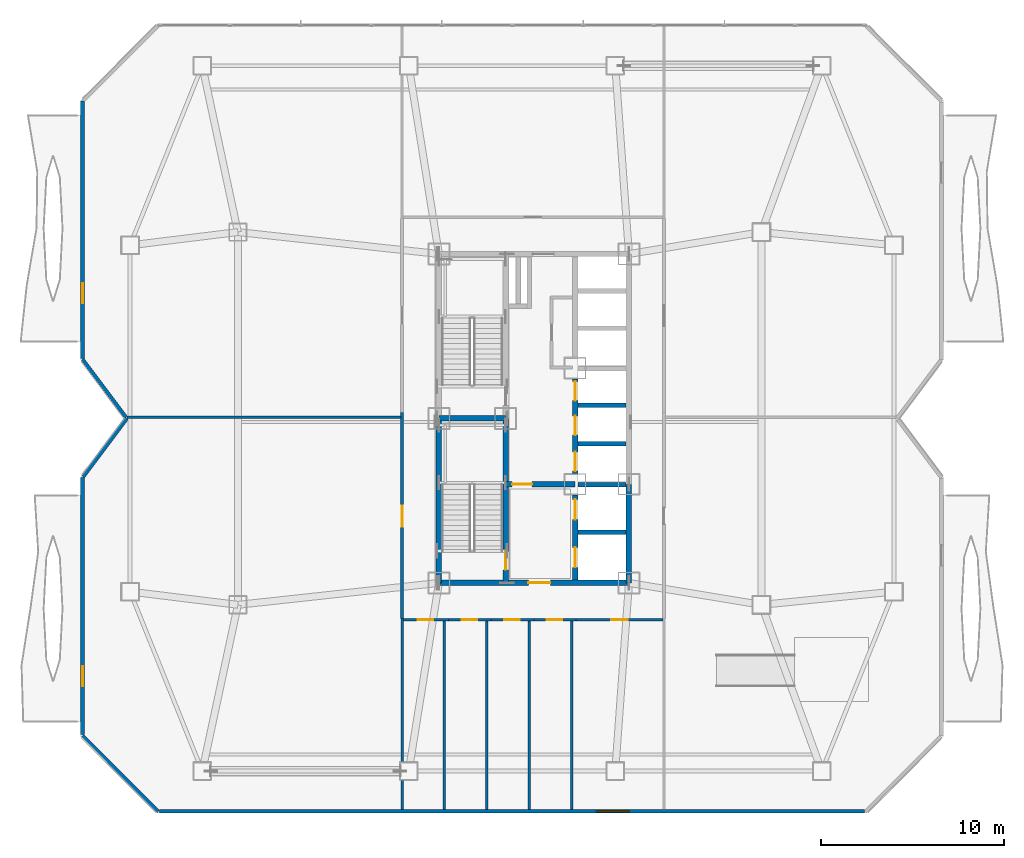
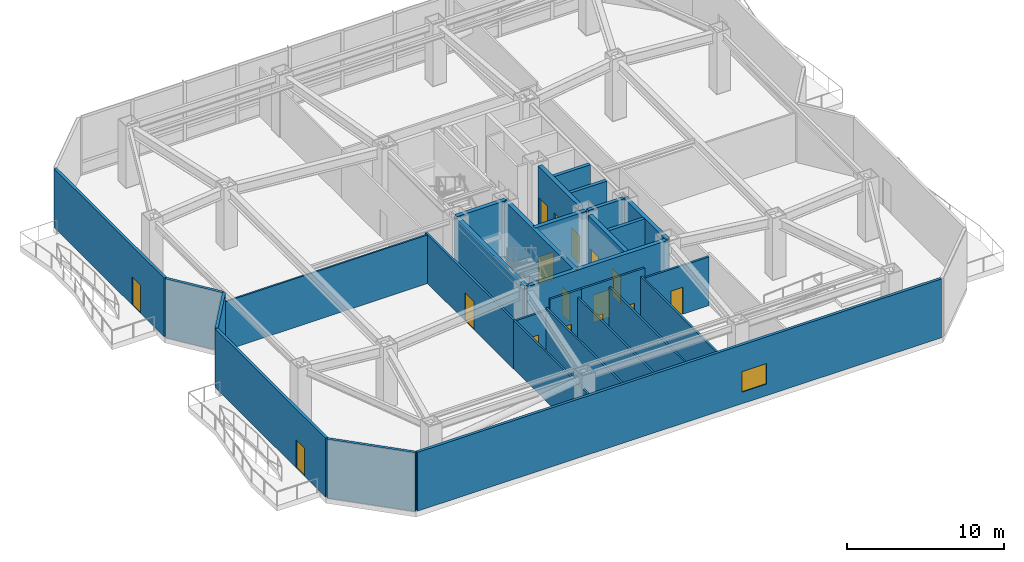
# One storey, part 9 of 14: 30 walls, 16 doors, 1 window, 17 openings.
"""IFC4 building model written with IfcOpenShell, lengths in metres."""

from ifc_helpers import new_model, si_unit, direction, frame, frame_2d, origin, place, context, subcontext, project, spatial, rectangle, extrude, material, layer, layer_set, type_object, element, fill, save


model = new_model("IFC4")

# Units and contexts
model_context = context("Model", 3, precision=1e-05, world=origin(), true_north=direction((0.0, 1.0)))
body_context = subcontext(model_context, "Body", "Model", "MODEL_VIEW")
ifc_project = project(units=[si_unit("LENGTHUNIT", "METRE"), si_unit("AREAUNIT", "SQUARE_METRE"), si_unit("VOLUMEUNIT", "CUBIC_METRE"), si_unit("PLANEANGLEUNIT", "RADIAN"), si_unit("MASSUNIT", "GRAM", prefix="KILO")], contexts=[model_context])

# Site, building, storey
site_placement = place(None, origin())
site = spatial("IfcSite", under=ifc_project, at=site_placement, CompositionType="ELEMENT")
building_placement = place(site_placement, origin())
building = spatial("IfcBuilding", under=site, at=building_placement, Name="Khamvora Tower", CompositionType="ELEMENT")
storey_placement = place(building_placement, frame((0.0, 0.0, 89.800048828125)))
storey = spatial("IfcBuildingStorey", under=building, at=storey_placement, Name="L22", CompositionType="ELEMENT", Elevation=89.800048828125)

# Wall
ifc_material_1 = material(Name="Concrete C50/60", Category="concrete")
ifc_layer_1 = layer(ifc_material_1, 0.300048828125)
ifc_layer_set_1 = layer_set([ifc_layer_1], Name="Concrete C50/60")
wall_type_1 = type_object("IfcWallType", Name="WAL-CORE-300", PredefinedType="SHEAR", material=ifc_layer_set_1)
wall_1_placement = place(storey_placement, frame((29.0, 19.0, 0.0), z_axis=(0.0, 0.0, 1.0), x_axis=(0.0, 1.0, 0.0)))
element("IfcWall", 1, at=wall_1_placement, inside=storey, type_object=wall_type_1, Name="L22 central core west south wall", PredefinedType="SHEAR", context=body_context, shape_type="SweptSolid", body=[
    extrude(rectangle(XDim=9.0, YDim=0.300048828125, at=frame_2d((4.5, 0.0))), origin(), (0.0, 0.0, 1.0), 4.579833984375),
])

# Wall, opening, door
wall_2_placement = place(storey_placement, frame((29.0, 19.0, 0.0), z_axis=(0.0, 0.0, 1.0), x_axis=(1.0, 0.0, 0.0)))
wall_2 = element("IfcWall", 2, at=wall_2_placement, inside=storey, type_object=wall_type_1, Name="L22 central core south wall", PredefinedType="SHEAR", context=body_context, shape_type="SweptSolid", body=[
    extrude(rectangle(XDim=10.39990234375, YDim=0.300048828125, at=frame_2d((5.199951171875, 0.0))), origin(), (0.0, 0.0, 1.0), 4.579833984375),
])
opening_1_placement = place(wall_2_placement, frame((4.89990234375, 0.0, 0.0)))
opening_1 = element("IfcOpeningElement", 3, at=opening_1_placement, cuts=wall_2, Name="Opening D-CR1", PredefinedType="OPENING", context=body_context, shape_type="SweptSolid", body=[
    extrude(rectangle(XDim=1.199951171875, YDim=2.14990234375, at=frame_2d((0.60009765625, 1.074951171875))), frame((0.0, 0.159912109375, 0.0), z_axis=(0.0, -1.0, 0.0), x_axis=(1.0, 0.0, 0.0)), (0.0, 0.0, 1.0), 0.320068359375),
])
ifc_material_2 = material(Name="Powder-Coated Steel and Hardwood Leaf", Category="steel")
door_type_1 = type_object("IfcDoorType", Name="DOR-CORR-1200", OperationType="NOTDEFINED", PredefinedType="DOOR", material=ifc_material_2)
door_1_placement = place(opening_1_placement, origin())
door_1 = element("IfcDoor", 4, at=door_1_placement, inside=storey, type_object=door_type_1, Name="L22 south core lobby to corridor fire door", OperationType="SINGLE_SWING_RIGHT", OverallHeight=2.14990234375, OverallWidth=1.199951171875, PredefinedType="DOOR", context=body_context, shape_type="SweptSolid", body=[
    extrude(rectangle(XDim=1.199951171875, YDim=2.14990234375, at=frame_2d((0.60009765625, 1.074951171875))), frame((0.0, 0.02490234375, 0.0), z_axis=(0.0, -1.0, 0.0), x_axis=(1.0, 0.0, 0.0)), (0.0, 0.0, 1.0), 0.050048828125),
])
fill(opening_1, door_1)

# Wall
wall_3_placement = place(storey_placement, frame((39.39990234375, 19.0, 0.0), z_axis=(0.0, 0.0, 1.0), x_axis=(0.0, 1.0, 0.0)))
element("IfcWall", 5, at=wall_3_placement, inside=storey, type_object=wall_type_1, Name="L22 central core east south wall", PredefinedType="SHEAR", context=body_context, shape_type="SweptSolid", body=[
    extrude(rectangle(XDim=5.39990234375, YDim=0.300048828125, at=frame_2d((2.699951171875, 0.0))), origin(), (0.0, 0.0, 1.0), 4.579833984375),
])

# Wall, opening, door
wall_4_placement = place(storey_placement, frame((32.64990234375, 19.0, 0.0), z_axis=(0.0, 0.0, 1.0), x_axis=(0.0, 1.0, 0.0)))
wall_4 = element("IfcWall", 6, at=wall_4_placement, inside=storey, type_object=wall_type_1, Name="L22 central core stair south spine wall", PredefinedType="SHEAR", context=body_context, shape_type="SweptSolid", body=[
    extrude(rectangle(XDim=9.0, YDim=0.300048828125, at=frame_2d((4.5, 0.0))), origin(), (0.0, 0.0, 1.0), 4.579833984375),
])
opening_2_placement = place(wall_4_placement, frame((0.719970703125, 0.0, 0.0)))
opening_2 = element("IfcOpeningElement", 7, at=opening_2_placement, cuts=wall_4, Name="Opening D-ST1", PredefinedType="OPENING", context=body_context, shape_type="SweptSolid", body=[
    extrude(rectangle(XDim=1.0, YDim=2.14990234375, at=frame_2d((0.5, 1.074951171875))), frame((0.0, 0.159912109375, 0.0), z_axis=(0.0, -1.0, 0.0), x_axis=(1.0, 0.0, 0.0)), (0.0, 0.0, 1.0), 0.320068359375),
])
door_type_2 = type_object("IfcDoorType", Name="DOR-STAIR-1000", OperationType="NOTDEFINED", PredefinedType="DOOR", material=ifc_material_2)
door_2_placement = place(opening_2_placement, origin())
door_2 = element("IfcDoor", 8, at=door_2_placement, inside=storey, type_object=door_type_2, Name="L22 exit stair ST-01 fire door", OperationType="SINGLE_SWING_RIGHT", OverallHeight=2.14990234375, OverallWidth=1.0, PredefinedType="DOOR", context=body_context, shape_type="SweptSolid", body=[
    extrude(rectangle(XDim=1.0, YDim=2.14990234375, at=frame_2d((0.5, 1.074951171875))), frame((0.0, 0.02490234375, 0.0), z_axis=(0.0, -1.0, 0.0), x_axis=(1.0, 0.0, 0.0)), (0.0, 0.0, 1.0), 0.050048828125),
])
fill(opening_2, door_2)

# Wall
wall_5_placement = place(storey_placement, frame((29.0, 28.0, 0.0), z_axis=(0.0, 0.0, 1.0), x_axis=(1.0, 0.0, 0.0)))
element("IfcWall", 9, at=wall_5_placement, inside=storey, type_object=wall_type_1, Name="L22 central core stair cross wall", PredefinedType="SHEAR", context=body_context, shape_type="SweptSolid", body=[
    extrude(rectangle(XDim=3.64990234375, YDim=0.300048828125, at=frame_2d((1.824951171875, 0.0))), origin(), (0.0, 0.0, 1.0), 4.579833984375),
])

# Wall, opening, door
wall_6_placement = place(storey_placement, frame((32.64990234375, 24.39990234375, 0.0), z_axis=(0.0, 0.0, 1.0), x_axis=(1.0, 0.0, 0.0)))
wall_6 = element("IfcWall", 10, at=wall_6_placement, inside=storey, type_object=wall_type_1, Name="L22 central core firefighting lobby north wall", PredefinedType="SHEAR", context=body_context, shape_type="SweptSolid", body=[
    extrude(rectangle(XDim=3.800048828125, YDim=0.300048828125, at=frame_2d((1.89990234375, 0.0))), origin(), (0.0, 0.0, 1.0), 4.579833984375),
])
opening_3_placement = place(wall_6_placement, frame((0.35009765625, 0.0, 0.0)))
opening_3 = element("IfcOpeningElement", 11, at=opening_3_placement, cuts=wall_6, Name="Opening D-FF1", PredefinedType="OPENING", context=body_context, shape_type="SweptSolid", body=[
    extrude(rectangle(XDim=1.10009765625, YDim=2.14990234375, at=frame_2d((0.550048828125, 1.074951171875))), frame((0.0, 0.159912109375, 0.0), z_axis=(0.0, -1.0, 0.0), x_axis=(1.0, 0.0, 0.0)), (0.0, 0.0, 1.0), 0.320068359375),
])
door_type_3 = type_object("IfcDoorType", Name="DOR-FFLOB-1100", OperationType="NOTDEFINED", PredefinedType="DOOR", material=ifc_material_2)
door_3_placement = place(opening_3_placement, origin())
door_3 = element("IfcDoor", 12, at=door_3_placement, inside=storey, type_object=door_type_3, Name="L22 firefighting lobby smoke-seal fire door", OperationType="SINGLE_SWING_LEFT", OverallHeight=2.14990234375, OverallWidth=1.10009765625, PredefinedType="DOOR", context=body_context, shape_type="SweptSolid", body=[
    extrude(rectangle(XDim=1.10009765625, YDim=2.14990234375, at=frame_2d((0.550048828125, 1.074951171875))), frame((0.0, 0.02490234375, 0.0), z_axis=(0.0, -1.0, 0.0), x_axis=(1.0, 0.0, 0.0)), (0.0, 0.0, 1.0), 0.050048828125),
])
fill(opening_3, door_3)

# Wall, openings, doors
wall_7_placement = place(storey_placement, frame((36.449951171875, 19.154052734375, 0.0), z_axis=(0.0, 0.0, 1.0), x_axis=(0.0, 1.0, 0.0)))
wall_7 = element("IfcWall", 13, at=wall_7_placement, inside=storey, type_object=wall_type_1, Name="L22 central core lift bank south wall", PredefinedType="SHEAR", context=body_context, shape_type="SweptSolid", body=[
    extrude(rectangle(XDim=4.64599609375, YDim=0.300048828125, at=frame_2d((2.322998046875, 0.0))), origin(), (0.0, 0.0, 1.0), 4.579833984375),
])
opening_4_placement = place(wall_7_placement, frame((0.696044921875, 0.0, 0.0)))
opening_4 = element("IfcOpeningElement", 14, at=opening_4_placement, cuts=wall_7, Name="Opening LD-FFL", PredefinedType="OPENING", context=body_context, shape_type="SweptSolid", body=[
    extrude(rectangle(XDim=1.10009765625, YDim=2.14990234375, at=frame_2d((0.550048828125, 1.074951171875))), frame((0.0, 0.159912109375, 0.0), z_axis=(0.0, -1.0, 0.0), x_axis=(1.0, 0.0, 0.0)), (0.0, 0.0, 1.0), 0.320068359375),
])
opening_5_placement = place(wall_7_placement, frame((3.31591796875, 0.0, 0.0)))
opening_5 = element("IfcOpeningElement", 15, at=opening_5_placement, cuts=wall_7, Name="Opening LD-FFL", PredefinedType="OPENING", context=body_context, shape_type="SweptSolid", body=[
    extrude(rectangle(XDim=1.10009765625, YDim=2.14990234375, at=frame_2d((0.550048828125, 1.074951171875))), frame((0.0, 0.159912109375, 0.0), z_axis=(0.0, -1.0, 0.0), x_axis=(1.0, 0.0, 0.0)), (0.0, 0.0, 1.0), 0.320068359375),
])
door_type_4 = type_object("IfcDoorType", Name="DOR-LIFT-1100", OperationType="SLIDING_TO_LEFT", PredefinedType="DOOR", material=ifc_material_2)
door_4_placement = place(opening_4_placement, origin())
door_4 = element("IfcDoor", 16, at=door_4_placement, inside=storey, type_object=door_type_4, Name="L22 lift landing sliding door FFL-01", OperationType="SLIDING_TO_LEFT", OverallHeight=2.14990234375, OverallWidth=1.10009765625, PredefinedType="DOOR", context=body_context, shape_type="SweptSolid", body=[
    extrude(rectangle(XDim=1.10009765625, YDim=2.14990234375, at=frame_2d((0.550048828125, 1.074951171875))), frame((0.0, 0.02490234375, 0.0), z_axis=(0.0, -1.0, 0.0), x_axis=(1.0, 0.0, 0.0)), (0.0, 0.0, 1.0), 0.050048828125),
])
fill(opening_4, door_4)
door_5_placement = place(opening_5_placement, origin())
door_5 = element("IfcDoor", 17, at=door_5_placement, inside=storey, type_object=door_type_4, Name="L22 lift landing sliding door FFL-02", OperationType="SLIDING_TO_LEFT", OverallHeight=2.14990234375, OverallWidth=1.10009765625, PredefinedType="DOOR", context=body_context, shape_type="SweptSolid", body=[
    extrude(rectangle(XDim=1.10009765625, YDim=2.14990234375, at=frame_2d((0.550048828125, 1.074951171875))), frame((0.0, 0.02490234375, 0.0), z_axis=(0.0, -1.0, 0.0), x_axis=(1.0, 0.0, 0.0)), (0.0, 0.0, 1.0), 0.050048828125),
])
fill(opening_5, door_5)

wall_8_placement = place(storey_placement, frame((36.449951171875, 25.0, 0.0), z_axis=(0.0, 0.0, 1.0), x_axis=(0.0, 1.0, 0.0)))
wall_8 = element("IfcWall", 18, at=wall_8_placement, inside=storey, type_object=wall_type_1, Name="L22 central core lift bank central wall", PredefinedType="SHEAR", context=body_context, shape_type="SweptSolid", body=[
    extrude(rectangle(XDim=5.14990234375, YDim=0.300048828125, at=frame_2d((2.574951171875, 0.0))), origin(), (0.0, 0.0, 1.0), 4.579833984375),
])
opening_6_placement = place(wall_8_placement, frame((0.1201171875, 0.0, 0.0)))
opening_6 = element("IfcOpeningElement", 19, at=opening_6_placement, cuts=wall_8, Name="Opening LD-PL", PredefinedType="OPENING", context=body_context, shape_type="SweptSolid", body=[
    extrude(rectangle(XDim=1.050048828125, YDim=2.14990234375, at=frame_2d((0.52490234375, 1.074951171875))), frame((0.0, 0.159912109375, 0.0), z_axis=(0.0, -1.0, 0.0), x_axis=(1.0, 0.0, 0.0)), (0.0, 0.0, 1.0), 0.320068359375),
])
opening_7_placement = place(wall_8_placement, frame((2.094970703125, 0.0, 0.0)))
opening_7 = element("IfcOpeningElement", 20, at=opening_7_placement, cuts=wall_8, Name="Opening LD-PL", PredefinedType="OPENING", context=body_context, shape_type="SweptSolid", body=[
    extrude(rectangle(XDim=1.050048828125, YDim=2.14990234375, at=frame_2d((0.52490234375, 1.074951171875))), frame((0.0, 0.159912109375, 0.0), z_axis=(0.0, -1.0, 0.0), x_axis=(1.0, 0.0, 0.0)), (0.0, 0.0, 1.0), 0.320068359375),
])
opening_8_placement = place(wall_8_placement, frame((3.97998046875, 0.0, 0.0)))
opening_8 = element("IfcOpeningElement", 21, at=opening_8_placement, cuts=wall_8, Name="Opening LD-PL", PredefinedType="OPENING", context=body_context, shape_type="SweptSolid", body=[
    extrude(rectangle(XDim=1.050048828125, YDim=2.14990234375, at=frame_2d((0.52490234375, 1.074951171875))), frame((0.0, 0.159912109375, 0.0), z_axis=(0.0, -1.0, 0.0), x_axis=(1.0, 0.0, 0.0)), (0.0, 0.0, 1.0), 0.320068359375),
])
door_type_5 = type_object("IfcDoorType", Name="DOR-LIFT-1050", OperationType="SLIDING_TO_LEFT", PredefinedType="DOOR", material=ifc_material_2)
door_6_placement = place(opening_6_placement, origin())
door_6 = element("IfcDoor", 22, at=door_6_placement, inside=storey, type_object=door_type_5, Name="L22 lift landing sliding door PL-01", OperationType="SLIDING_TO_LEFT", OverallHeight=2.14990234375, OverallWidth=1.050048828125, PredefinedType="DOOR", context=body_context, shape_type="SweptSolid", body=[
    extrude(rectangle(XDim=1.050048828125, YDim=2.14990234375, at=frame_2d((0.52490234375, 1.074951171875))), frame((0.0, 0.02490234375, 0.0), z_axis=(0.0, -1.0, 0.0), x_axis=(1.0, 0.0, 0.0)), (0.0, 0.0, 1.0), 0.050048828125),
])
fill(opening_6, door_6)
door_7_placement = place(opening_7_placement, origin())
door_7 = element("IfcDoor", 23, at=door_7_placement, inside=storey, type_object=door_type_5, Name="L22 lift landing sliding door PL-02", OperationType="SLIDING_TO_LEFT", OverallHeight=2.14990234375, OverallWidth=1.050048828125, PredefinedType="DOOR", context=body_context, shape_type="SweptSolid", body=[
    extrude(rectangle(XDim=1.050048828125, YDim=2.14990234375, at=frame_2d((0.52490234375, 1.074951171875))), frame((0.0, 0.02490234375, 0.0), z_axis=(0.0, -1.0, 0.0), x_axis=(1.0, 0.0, 0.0)), (0.0, 0.0, 1.0), 0.050048828125),
])
fill(opening_7, door_7)
door_8_placement = place(opening_8_placement, origin())
door_8 = element("IfcDoor", 24, at=door_8_placement, inside=storey, type_object=door_type_5, Name="L22 lift landing sliding door PL-03", OperationType="SLIDING_TO_LEFT", OverallHeight=2.14990234375, OverallWidth=1.050048828125, PredefinedType="DOOR", context=body_context, shape_type="SweptSolid", body=[
    extrude(rectangle(XDim=1.050048828125, YDim=2.14990234375, at=frame_2d((0.52490234375, 1.074951171875))), frame((0.0, 0.02490234375, 0.0), z_axis=(0.0, -1.0, 0.0), x_axis=(1.0, 0.0, 0.0)), (0.0, 0.0, 1.0), 0.050048828125),
])
fill(opening_8, door_8)

# Wall, opening, door
ifc_material_3 = material(Name="Fire-Rated Drywall and Steel Stud", Category="steel")
ifc_layer_2 = layer(ifc_material_3, 0.14990234375)
ifc_layer_set_2 = layer_set([ifc_layer_2], Name="Fire-Rated Drywall and Steel Stud")
wall_type_2 = type_object("IfcWallType", Name="WAL-CORR-150", PredefinedType="STANDARD", material=ifc_layer_set_2)
wall_9_placement = place(storey_placement, frame((26.985107421875, 17.050048828125, 0.0), z_axis=(0.0, 0.0, 1.0), x_axis=(0.0, 1.0, 0.0)))
wall_9 = element("IfcWall", 25, at=wall_9_placement, inside=storey, type_object=wall_type_2, Name="L22 interior partition wall 005", PredefinedType="STANDARD", context=body_context, shape_type="SweptSolid", body=[
    extrude(rectangle(XDim=11.263916015625, YDim=0.14990234375, at=frame_2d((5.6318359375, 0.0))), origin(), (0.0, 0.0, 1.0), 3.796875),
])
opening_9_placement = place(wall_9_placement, frame((5.035888671875, 0.0, 0.0)))
opening_9 = element("IfcOpeningElement", 26, at=opening_9_placement, cuts=wall_9, Name="Opening D-SC1", PredefinedType="OPENING", context=body_context, shape_type="SweptSolid", body=[
    extrude(rectangle(XDim=1.14990234375, YDim=2.199951171875, at=frame_2d((0.574951171875, 1.10009765625))), frame((0.0, 0.0849609375, 0.0), z_axis=(0.0, -1.0, 0.0), x_axis=(1.0, 0.0, 0.0)), (0.0, 0.0, 1.0), 0.169921875),
])
door_type_6 = type_object("IfcDoorType", Name="DOR-SCHL-1150", OperationType="NOTDEFINED", PredefinedType="DOOR", material=ifc_material_2)
door_9_placement = place(opening_9_placement, origin())
door_9 = element("IfcDoor", 27, at=door_9_placement, inside=storey, type_object=door_type_6, Name="L22 interior door ACOR-COHW", OperationType="SINGLE_SWING_RIGHT", OverallHeight=2.199951171875, OverallWidth=1.14990234375, PredefinedType="DOOR", context=body_context, shape_type="SweptSolid", body=[
    extrude(rectangle(XDim=1.14990234375, YDim=2.199951171875, at=frame_2d((0.574951171875, 1.10009765625))), frame((0.0, 0.02490234375, 0.0), z_axis=(0.0, -1.0, 0.0), x_axis=(1.0, 0.0, 0.0)), (0.0, 0.0, 1.0), 0.050048828125),
])
fill(opening_9, door_9)

wall_10_placement = place(storey_placement, frame((29.533935546875, 16.985107421875, 0.0), z_axis=(0.0, 0.0, 1.0), x_axis=(-1.0, 0.0, 0.0)))
wall_10 = element("IfcWall", 28, at=wall_10_placement, inside=storey, type_object=wall_type_2, Name="L22 interior partition wall 008", PredefinedType="STANDARD", context=body_context, shape_type="SweptSolid", body=[
    extrude(rectangle(XDim=2.48388671875, YDim=0.14990234375, at=frame_2d((1.241943359375, 0.0))), origin(), (0.0, 0.0, 1.0), 3.796875),
])
opening_10_placement = place(wall_10_placement, frame((0.837890625, 0.0, 0.0)))
opening_10 = element("IfcOpeningElement", 29, at=opening_10_placement, cuts=wall_10, Name="Opening D-WC1", PredefinedType="OPENING", context=body_context, shape_type="SweptSolid", body=[
    extrude(rectangle(XDim=0.85009765625, YDim=2.10009765625, at=frame_2d((0.425048828125, 1.050048828125))), frame((0.0, 0.0849609375, 0.0), z_axis=(0.0, -1.0, 0.0), x_axis=(1.0, 0.0, 0.0)), (0.0, 0.0, 1.0), 0.169921875),
])
door_type_7 = type_object("IfcDoorType", Name="DOR-WET-850", OperationType="NOTDEFINED", PredefinedType="DOOR", material=ifc_material_2)
door_10_placement = place(opening_10_placement, origin())
door_10 = element("IfcDoor", 30, at=door_10_placement, inside=storey, type_object=door_type_7, Name="L22 interior door ACOR-AWC1", OperationType="SINGLE_SWING_LEFT", OverallHeight=2.10009765625, OverallWidth=0.85009765625, PredefinedType="DOOR", context=body_context, shape_type="SweptSolid", body=[
    extrude(rectangle(XDim=0.85009765625, YDim=2.10009765625, at=frame_2d((0.425048828125, 1.050048828125))), frame((0.0, 0.02490234375, 0.0), z_axis=(0.0, -1.0, 0.0), x_axis=(1.0, 0.0, 0.0)), (0.0, 0.0, 1.0), 0.050048828125),
])
fill(opening_10, door_10)

wall_11_placement = place(storey_placement, frame((31.864013671875, 16.985107421875, 0.0), z_axis=(0.0, 0.0, 1.0), x_axis=(-1.0, 0.0, 0.0)))
wall_11 = element("IfcWall", 31, at=wall_11_placement, inside=storey, type_object=wall_type_2, Name="L22 interior partition wall 009", PredefinedType="STANDARD", context=body_context, shape_type="SweptSolid", body=[
    extrude(rectangle(XDim=2.330078125, YDim=0.14990234375, at=frame_2d((1.1650390625, 0.0))), origin(), (0.0, 0.0, 1.0), 4.579833984375),
])
opening_11_placement = place(wall_11_placement, frame((0.760986328125, 0.0, 0.0)))
opening_11 = element("IfcOpeningElement", 32, at=opening_11_placement, cuts=wall_11, Name="Opening D-WC1", PredefinedType="OPENING", context=body_context, shape_type="SweptSolid", body=[
    extrude(rectangle(XDim=0.85009765625, YDim=2.10009765625, at=frame_2d((0.425048828125, 1.050048828125))), frame((0.0, 0.0849609375, 0.0), z_axis=(0.0, -1.0, 0.0), x_axis=(1.0, 0.0, 0.0)), (0.0, 0.0, 1.0), 0.169921875),
])
door_11_placement = place(opening_11_placement, origin())
door_11 = element("IfcDoor", 33, at=door_11_placement, inside=storey, type_object=door_type_7, Name="L22 interior door ACOR-AWC2", OperationType="SINGLE_SWING_RIGHT", OverallHeight=2.10009765625, OverallWidth=0.85009765625, PredefinedType="DOOR", context=body_context, shape_type="SweptSolid", body=[
    extrude(rectangle(XDim=0.85009765625, YDim=2.10009765625, at=frame_2d((0.425048828125, 1.050048828125))), frame((0.0, 0.02490234375, 0.0), z_axis=(0.0, -1.0, 0.0), x_axis=(1.0, 0.0, 0.0)), (0.0, 0.0, 1.0), 0.050048828125),
])
fill(opening_11, door_11)

wall_12_placement = place(storey_placement, frame((34.194091796875, 16.985107421875, 0.0), z_axis=(0.0, 0.0, 1.0), x_axis=(-1.0, 0.0, 0.0)))
wall_12 = element("IfcWall", 34, at=wall_12_placement, inside=storey, type_object=wall_type_2, Name="L22 interior partition wall 010", PredefinedType="STANDARD", context=body_context, shape_type="SweptSolid", body=[
    extrude(rectangle(XDim=2.330078125, YDim=0.14990234375, at=frame_2d((1.1650390625, 0.0))), origin(), (0.0, 0.0, 1.0), 4.579833984375),
])
opening_12_placement = place(wall_12_placement, frame((0.760986328125, 0.0, 0.0)))
opening_12 = element("IfcOpeningElement", 35, at=opening_12_placement, cuts=wall_12, Name="Opening D-WC1", PredefinedType="OPENING", context=body_context, shape_type="SweptSolid", body=[
    extrude(rectangle(XDim=0.85009765625, YDim=2.10009765625, at=frame_2d((0.425048828125, 1.050048828125))), frame((0.0, 0.0849609375, 0.0), z_axis=(0.0, -1.0, 0.0), x_axis=(1.0, 0.0, 0.0)), (0.0, 0.0, 1.0), 0.169921875),
])
door_12_placement = place(opening_12_placement, origin())
door_12 = element("IfcDoor", 36, at=door_12_placement, inside=storey, type_object=door_type_7, Name="L22 interior door ACOR-AWC3", OperationType="SINGLE_SWING_LEFT", OverallHeight=2.10009765625, OverallWidth=0.85009765625, PredefinedType="DOOR", context=body_context, shape_type="SweptSolid", body=[
    extrude(rectangle(XDim=0.85009765625, YDim=2.10009765625, at=frame_2d((0.425048828125, 1.050048828125))), frame((0.0, 0.02490234375, 0.0), z_axis=(0.0, -1.0, 0.0), x_axis=(1.0, 0.0, 0.0)), (0.0, 0.0, 1.0), 0.050048828125),
])
fill(opening_12, door_12)

wall_13_placement = place(storey_placement, frame((36.513916015625, 16.985107421875, 0.0), z_axis=(0.0, 0.0, 1.0), x_axis=(-1.0, 0.0, 0.0)))
wall_13 = element("IfcWall", 37, at=wall_13_placement, inside=storey, type_object=wall_type_2, Name="L22 interior partition wall 011", PredefinedType="STANDARD", context=body_context, shape_type="SweptSolid", body=[
    extrude(rectangle(XDim=2.31982421875, YDim=0.14990234375, at=frame_2d((1.159912109375, 0.0))), origin(), (0.0, 0.0, 1.0), 4.579833984375),
])
opening_13_placement = place(wall_13_placement, frame((0.756103515625, 0.0, 0.0)))
opening_13 = element("IfcOpeningElement", 38, at=opening_13_placement, cuts=wall_13, Name="Opening D-WC1", PredefinedType="OPENING", context=body_context, shape_type="SweptSolid", body=[
    extrude(rectangle(XDim=0.85009765625, YDim=2.10009765625, at=frame_2d((0.425048828125, 1.050048828125))), frame((0.0, 0.0849609375, 0.0), z_axis=(0.0, -1.0, 0.0), x_axis=(1.0, 0.0, 0.0)), (0.0, 0.0, 1.0), 0.169921875),
])
door_13_placement = place(opening_13_placement, origin())
door_13 = element("IfcDoor", 39, at=door_13_placement, inside=storey, type_object=door_type_7, Name="L22 interior door ACOR-AWC4", OperationType="SINGLE_SWING_RIGHT", OverallHeight=2.10009765625, OverallWidth=0.85009765625, PredefinedType="DOOR", context=body_context, shape_type="SweptSolid", body=[
    extrude(rectangle(XDim=0.85009765625, YDim=2.10009765625, at=frame_2d((0.425048828125, 1.050048828125))), frame((0.0, 0.02490234375, 0.0), z_axis=(0.0, -1.0, 0.0), x_axis=(1.0, 0.0, 0.0)), (0.0, 0.0, 1.0), 0.050048828125),
])
fill(opening_13, door_13)

wall_14_placement = place(storey_placement, frame((41.25, 16.985107421875, 0.0), z_axis=(0.0, 0.0, 1.0), x_axis=(-1.0, 0.0, 0.0)))
wall_14 = element("IfcWall", 40, at=wall_14_placement, inside=storey, type_object=wall_type_2, Name="L22 interior partition wall 012", PredefinedType="STANDARD", context=body_context, shape_type="SweptSolid", body=[
    extrude(rectangle(XDim=4.736083984375, YDim=0.14990234375, at=frame_2d((2.3681640625, 0.0))), origin(), (0.0, 0.0, 1.0), 3.796875),
])
opening_14_placement = place(wall_14_placement, frame((1.91796875, 0.0, 0.0)))
opening_14 = element("IfcOpeningElement", 41, at=opening_14_placement, cuts=wall_14, Name="Opening D-RM1", PredefinedType="OPENING", context=body_context, shape_type="SweptSolid", body=[
    extrude(rectangle(XDim=0.89990234375, YDim=2.10009765625, at=frame_2d((0.449951171875, 1.050048828125))), frame((0.0, 0.0849609375, 0.0), z_axis=(0.0, -1.0, 0.0), x_axis=(1.0, 0.0, 0.0)), (0.0, 0.0, 1.0), 0.169921875),
])
door_type_8 = type_object("IfcDoorType", Name="DOR-ROOM-900", OperationType="NOTDEFINED", PredefinedType="DOOR", material=ifc_material_2)
door_14_placement = place(opening_14_placement, origin())
door_14 = element("IfcDoor", 42, at=door_14_placement, inside=storey, type_object=door_type_8, Name="L22 interior door ACOR-AST2", OperationType="SINGLE_SWING_LEFT", OverallHeight=2.10009765625, OverallWidth=0.89990234375, PredefinedType="DOOR", context=body_context, shape_type="SweptSolid", body=[
    extrude(rectangle(XDim=0.89990234375, YDim=2.10009765625, at=frame_2d((0.449951171875, 1.050048828125))), frame((0.0, 0.02490234375, 0.0), z_axis=(0.0, -1.0, 0.0), x_axis=(1.0, 0.0, 0.0)), (0.0, 0.0, 1.0), 0.050048828125),
])
fill(opening_14, door_14)

# Wall
ifc_material_4 = material(Name="Precast concrete C40/50", Category="concrete")
ifc_layer_3 = layer(ifc_material_4, 0.199951171875)
ifc_layer_set_3 = layer_set([ifc_layer_3], Name="Precast concrete C40/50")
wall_type_3 = type_object("IfcWallType", Name="WAL-EXT-200", PredefinedType="STANDARD", material=ifc_layer_set_3)
wall_15_placement = place(storey_placement, frame((13.64111328125, 6.5, 0.0), z_axis=(0.0, 0.0, 1.0), x_axis=(-0.707106781187, 0.707106781187, 0.0)))
element("IfcWall", 43, at=wall_15_placement, inside=storey, type_object=wall_type_3, Name="L22 exterior facade wall 01.1", PredefinedType="STANDARD", context=body_context, shape_type="SweptSolid", body=[
    extrude(rectangle(XDim=5.8564453125, YDim=0.199951171875, at=frame_2d((2.92822265625, 0.0))), origin(), (0.0, 0.0, 1.0), 4.579833984375),
])

# Wall, opening, door
wall_16_placement = place(storey_placement, frame((9.5, 10.7041015625, 0.0), z_axis=(0.0, 0.0, 1.0), x_axis=(0.0, 1.0, 0.0)))
wall_16 = element("IfcWall", 44, at=wall_16_placement, inside=storey, type_object=wall_type_3, Name="L22 exterior facade wall 02.1", PredefinedType="STANDARD", context=body_context, shape_type="SweptSolid", body=[
    extrude(rectangle(XDim=14.06298828125, YDim=0.199951171875, at=frame_2d((7.031494140625, 0.0))), origin(), (0.0, 0.0, 1.0), 4.579833984375),
])
opening_15_placement = place(wall_16_placement, frame((2.64892578125, 0.0, 0.0)))
opening_15 = element("IfcOpeningElement", 45, at=opening_15_placement, cuts=wall_16, Name="Opening BD-01", PredefinedType="OPENING", context=body_context, shape_type="SweptSolid", body=[
    extrude(rectangle(XDim=1.10009765625, YDim=2.199951171875, at=frame_2d((0.550048828125, 1.10009765625))), frame((0.0, 0.10986328125, 0.0), z_axis=(0.0, -1.0, 0.0), x_axis=(1.0, 0.0, 0.0)), (0.0, 0.0, 1.0), 0.219970703125),
])
ifc_material_5 = material(Name="Anodised Aluminium and Laminated Safety Glass", Category="aluminium")
door_type_9 = type_object("IfcDoorType", Name="DOR-BAL-1100", OperationType="NOTDEFINED", PredefinedType="DOOR", material=ifc_material_5)
door_15_placement = place(opening_15_placement, origin())
door_15 = element("IfcDoor", 46, at=door_15_placement, inside=storey, type_object=door_type_9, Name="L22 lens gallery balcony door WL1", OperationType="SLIDING_TO_LEFT", OverallHeight=2.199951171875, OverallWidth=1.10009765625, PredefinedType="DOOR", context=body_context, shape_type="SweptSolid", body=[
    extrude(rectangle(XDim=1.10009765625, YDim=2.199951171875, at=frame_2d((0.550048828125, 1.10009765625))), frame((0.0, 0.02490234375, 0.0), z_axis=(0.0, -1.0, 0.0), x_axis=(1.0, 0.0, 0.0)), (0.0, 0.0, 1.0), 0.050048828125),
])
fill(opening_15, door_15)

# Walls
wall_17_placement = place(storey_placement, frame((9.530029296875, 24.806884765625, 0.0), z_axis=(0.0, 0.0, 1.0), x_axis=(0.600029358831, 0.799977980035, 0.0)))
element("IfcWall", 47, at=wall_17_placement, inside=storey, type_object=wall_type_3, Name="L22 exterior facade wall 03.1", PredefinedType="STANDARD", context=body_context, shape_type="SweptSolid", body=[
    extrude(rectangle(XDim=3.991455078125, YDim=0.199951171875, at=frame_2d((1.99560546875, 0.0))), origin(), (0.0, 0.0, 1.0), 4.579833984375),
])
wall_18_placement = place(storey_placement, frame((11.873046875, 28.069091796875, 0.0), z_axis=(0.0, 0.0, 1.0), x_axis=(-0.600029630681, 0.799977776132, 0.0)))
element("IfcWall", 48, at=wall_18_placement, inside=storey, type_object=wall_type_3, Name="L22 exterior facade wall 04.1", PredefinedType="STANDARD", context=body_context, shape_type="SweptSolid", body=[
    extrude(rectangle(XDim=3.954833984375, YDim=0.199951171875, at=frame_2d((1.9775390625, 0.0))), origin(), (0.0, 0.0, 1.0), 4.579833984375),
])

# Wall, opening, door
wall_19_placement = place(storey_placement, frame((9.5, 31.283935546875, 0.0), z_axis=(0.0, 0.0, 1.0), x_axis=(0.0, 1.0, 0.0)))
wall_19 = element("IfcWall", 49, at=wall_19_placement, inside=storey, type_object=wall_type_3, Name="L22 exterior facade wall 05.1", PredefinedType="STANDARD", context=body_context, shape_type="SweptSolid", body=[
    extrude(rectangle(XDim=14.074951171875, YDim=0.199951171875, at=frame_2d((7.03759765625, 0.0))), origin(), (0.0, 0.0, 1.0), 4.579833984375),
])
opening_16_placement = place(wall_19_placement, frame((3.009033203125, 0.0, 0.0)))
opening_16 = element("IfcOpeningElement", 50, at=opening_16_placement, cuts=wall_19, Name="Opening BD-01", PredefinedType="OPENING", context=body_context, shape_type="SweptSolid", body=[
    extrude(rectangle(XDim=1.10009765625, YDim=2.199951171875, at=frame_2d((0.550048828125, 1.10009765625))), frame((0.0, 0.10986328125, 0.0), z_axis=(0.0, -1.0, 0.0), x_axis=(1.0, 0.0, 0.0)), (0.0, 0.0, 1.0), 0.219970703125),
])
door_16_placement = place(opening_16_placement, origin())
door_16 = element("IfcDoor", 51, at=door_16_placement, inside=storey, type_object=door_type_9, Name="L22 lens gallery balcony door WL2", OperationType="SLIDING_TO_LEFT", OverallHeight=2.199951171875, OverallWidth=1.10009765625, PredefinedType="DOOR", context=body_context, shape_type="SweptSolid", body=[
    extrude(rectangle(XDim=1.10009765625, YDim=2.199951171875, at=frame_2d((0.550048828125, 1.10009765625))), frame((0.0, 0.02490234375, 0.0), z_axis=(0.0, -1.0, 0.0), x_axis=(1.0, 0.0, 0.0)), (0.0, 0.0, 1.0), 0.050048828125),
])
fill(opening_16, door_16)

# Wall, opening, window
wall_20_placement = place(storey_placement, frame((52.2958984375, 6.5, 0.0), z_axis=(0.0, 0.0, 1.0), x_axis=(-1.0, 0.0, 0.0)))
wall_20 = element("IfcWall", 52, at=wall_20_placement, inside=storey, type_object=wall_type_3, Name="L22 exterior facade wall 14.1", PredefinedType="STANDARD", context=body_context, shape_type="SweptSolid", body=[
    extrude(rectangle(XDim=38.593017578125, YDim=0.199951171875, at=frame_2d((19.29638671875, 0.0))), origin(), (0.0, 0.0, 1.0), 4.579833984375),
])
opening_17_placement = place(wall_20_placement, frame((12.883056640625, 0.0, 0.89990234375)))
opening_17 = element("IfcOpeningElement", 53, at=opening_17_placement, cuts=wall_20, Name="Opening WN-01", PredefinedType="OPENING", context=body_context, shape_type="SweptSolid", body=[
    extrude(rectangle(XDim=1.800048828125, YDim=1.60009765625, at=frame_2d((0.89990234375, 0.800048828125))), frame((0.0, 0.10986328125, 0.0), z_axis=(0.0, -1.0, 0.0), x_axis=(1.0, 0.0, 0.0)), (0.0, 0.0, 1.0), 0.219970703125),
])
ifc_material_6 = material(Name="Low-E Laminated Double Glazing", Category="glass")
window_type = type_object("IfcWindowType", Name="WIN-VIS-1800x1600", PartitioningType="SINGLE_PANEL", PredefinedType="WINDOW", material=ifc_material_6)
window_placement = place(opening_17_placement, origin())
window = element("IfcWindow", 54, at=window_placement, inside=storey, type_object=window_type, Name="L22 vision window 14.1.01", OverallHeight=1.60009765625, OverallWidth=1.800048828125, PartitioningType="SINGLE_PANEL", PredefinedType="WINDOW", context=body_context, shape_type="SweptSolid", body=[
    extrude(rectangle(XDim=1.800048828125, YDim=1.60009765625, at=frame_2d((0.89990234375, 0.800048828125))), frame((0.0, 0.030029296875, 0.0), z_axis=(0.0, -1.0, 0.0), x_axis=(1.0, 0.0, 0.0)), (0.0, 0.0, 1.0), 0.06005859375),
])
fill(opening_17, window)

# Walls
ifc_material_7 = material(Name="Gypsum Plasterboard Partition", Category="gypsum")
ifc_layer_4 = layer(ifc_material_7, 0.1201171875)
ifc_layer_set_4 = layer_set([ifc_layer_4], Name="Gypsum Plasterboard Partition")
wall_type_4 = type_object("IfcWallType", Name="WAL-PART-120", PredefinedType="PARTITIONING", material=ifc_layer_set_4)
wall_21_placement = place(storey_placement, frame((11.927978515625, 28.06494140625, 0.0), z_axis=(0.0, 0.0, 1.0), x_axis=(1.0, 0.0, 0.0)))
element("IfcWall", 55, at=wall_21_placement, inside=storey, type_object=wall_type_4, Name="L22 interior partition wall 016", PredefinedType="PARTITIONING", context=body_context, shape_type="SweptSolid", body=[
    extrude(rectangle(XDim=14.989990234375, YDim=0.1201171875, at=frame_2d((7.4951171875, 0.0))), origin(), (0.0, 0.0, 1.0), 3.796875),
])
ifc_material_8 = material(Name="Concrete C40/50", Category="concrete")
ifc_layer_5 = layer(ifc_material_8, 0.25)
ifc_layer_set_5 = layer_set([ifc_layer_5], Name="Concrete C40/50")
wall_type_5 = type_object("IfcWallType", Name="WAL-PODS-250", PredefinedType="SHEAR", material=ifc_layer_set_5)
for number, where, z_axis, x_axis, name in (
    (56, (36.60400390625, 21.77490234375, 0.0), (0.0, 0.0, 1.0), (1.0, 0.0, 0.0), "L22 lift shaft divider wall FFL-01"),
    (57, (36.60400390625, 24.375, 0.0), (0.0, 0.0, 1.0), (1.0, 0.0, 0.0), "L22 lift shaft divider wall FFL-02"),
    (58, (36.60400390625, 26.625, 0.0), (0.0, 0.0, 1.0), (1.0, 0.0, 0.0), "L22 lift shaft divider wall PL-01"),
    (59, (36.60400390625, 28.72509765625, 0.0), (0.0, 0.0, 1.0), (1.0, 0.0, 0.0), "L22 lift shaft divider wall PL-02"),
):
    element("IfcWall", number, at=place(storey_placement, frame(where, z_axis=z_axis, x_axis=x_axis)), inside=storey, type_object=wall_type_5, Name=name, PredefinedType="SHEAR", context=body_context, shape_type="SweptSolid", body=[
        extrude(rectangle(XDim=2.64208984375, YDim=0.25, at=frame_2d((1.321044921875, 0.0))), origin(), (0.0, 0.0, 1.0), 4.579833984375),
    ])
ifc_material_9 = material(Name="Moisture-Resistant Plasterboard Partition", Category="gypsum")
ifc_layer_6 = layer(ifc_material_9, 0.135009765625)
ifc_layer_set_6 = layer_set([ifc_layer_6], Name="Moisture-Resistant Plasterboard Partition")
wall_type_6 = type_object("IfcWallType", Name="WAL-WET-135", PredefinedType="PARTITIONING", material=ifc_layer_set_6)
wall_22_placement = place(storey_placement, frame((26.985107421875, 17.050048828125, 0.0), z_axis=(0.0, 0.0, 1.0), x_axis=(0.0, -1.0, 0.0)))
element("IfcWall", 60, at=wall_22_placement, inside=storey, type_object=wall_type_6, Name="L22 interior partition wall 017", PredefinedType="PARTITIONING", context=body_context, shape_type="SweptSolid", body=[
    extrude(rectangle(XDim=10.4580078125, YDim=0.135009765625, at=frame_2d((5.22900390625, 0.0))), origin(), (0.0, 0.0, 1.0), 3.796875),
])
for number, where, z_axis, x_axis, name in (
    (61, (29.284912109375, 16.91796875, 0.0), (0.0, 0.0, 1.0), (0.0, -1.0, 0.0), "L22 interior partition wall 020"),
    (62, (31.614990234375, 16.91796875, 0.0), (0.0, 0.0, 1.0), (0.0, -1.0, 0.0), "L22 interior partition wall 021"),
    (63, (33.945068359375, 16.91796875, 0.0), (0.0, 0.0, 1.0), (0.0, -1.0, 0.0), "L22 interior partition wall 022"),
    (64, (36.264892578125, 16.91796875, 0.0), (0.0, 0.0, 1.0), (0.0, -1.0, 0.0), "L22 interior partition wall 023"),
):
    element("IfcWall", number, at=place(storey_placement, frame(where, z_axis=z_axis, x_axis=x_axis)), inside=storey, type_object=wall_type_6, Name=name, PredefinedType="PARTITIONING", context=body_context, shape_type="SweptSolid", body=[
        extrude(rectangle(XDim=10.325927734375, YDim=0.135009765625, at=frame_2d((5.1630859375, 0.0))), origin(), (0.0, 0.0, 1.0), 4.02587890625),
    ])

save(model, "model.ifc")
